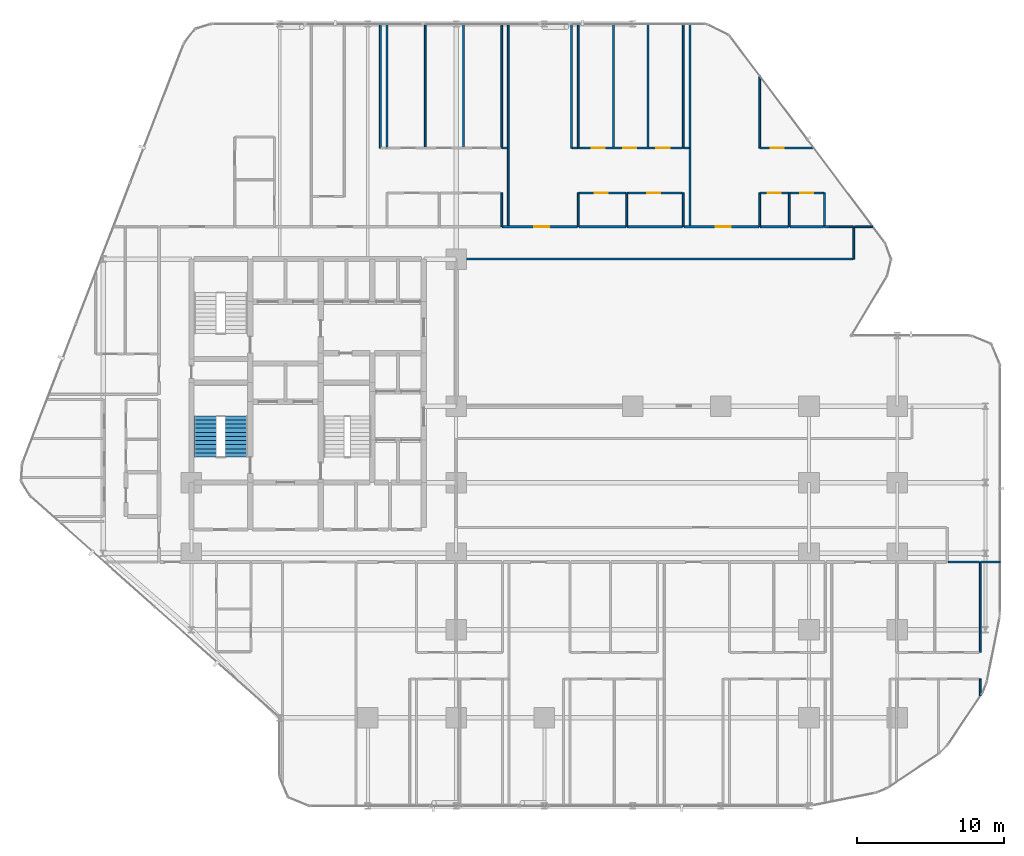
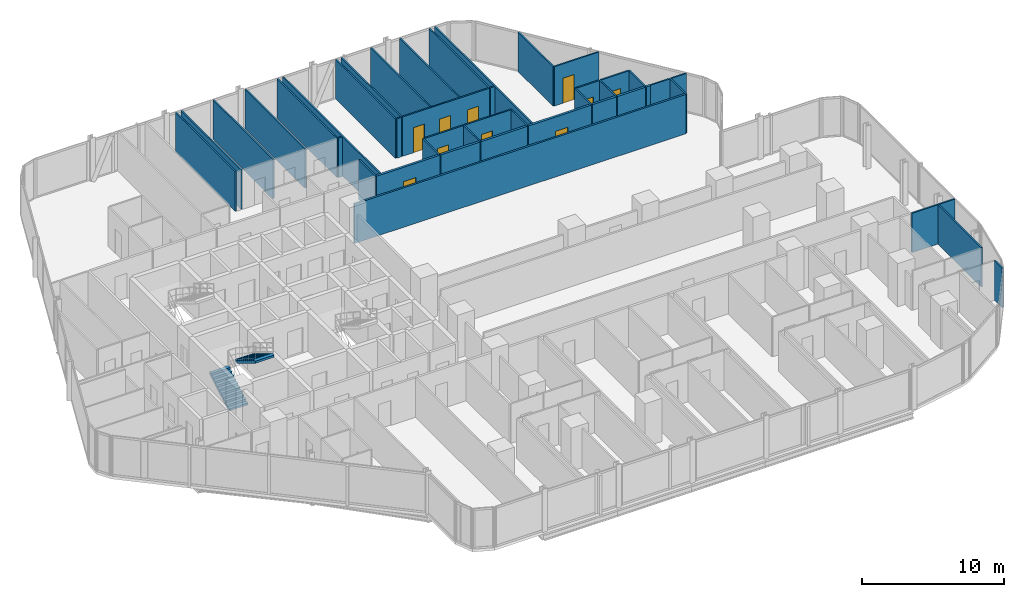
# One storey, part 31 of 34: 44 walls, 10 doors, 2 stair flights, 10 openings, 1 element without a shape of its own.
"""IFC4 building model written with IfcOpenShell, lengths in metres."""

from ifc_helpers import new_model, si_unit, direction, frame, frame_2d, origin, place, context, subcontext, project, spatial, polyline, rectangle, outline, extrude, material, layer, layer_set, type_object, element, fill, aggregate, save


model = new_model("IFC4")

# Units and contexts
model_context = context("Model", 3, precision=1e-05, world=origin(), true_north=direction((0.0, 1.0)))
body_context = subcontext(model_context, "Body", "Model", "MODEL_VIEW")
ifc_project = project(units=[si_unit("LENGTHUNIT", "METRE"), si_unit("AREAUNIT", "SQUARE_METRE"), si_unit("VOLUMEUNIT", "CUBIC_METRE"), si_unit("PLANEANGLEUNIT", "RADIAN"), si_unit("MASSUNIT", "GRAM", prefix="KILO")], contexts=[model_context])

# Site, building, storey
site_placement = place(None, origin())
site = spatial("IfcSite", under=ifc_project, at=site_placement, CompositionType="ELEMENT")
building_placement = place(site_placement, origin())
building = spatial("IfcBuilding", under=site, at=building_placement, Name="Keshet Zoharim Tower", CompositionType="ELEMENT")
storey_placement = place(building_placement, frame((0.0, 0.0, 38.800048828125)))
storey = spatial("IfcBuildingStorey", under=building, at=storey_placement, Name="L08", CompositionType="ELEMENT", Elevation=38.800048828125)

# Wall
ifc_material_1 = material(Name="Gypsum Plasterboard", Category="gypsum")
ifc_layer_1 = layer(ifc_material_1, 0.14990234375)
ifc_layer_set_1 = layer_set([ifc_layer_1], Name="Gypsum Plasterboard")
wall_type_1 = type_object("IfcWallType", Name="WL-CLIN-150", PredefinedType="STANDARD", material=ifc_layer_set_1)
wall_1_placement = place(storey_placement, frame((33.070068359375, 37.89990234375, 0.0), z_axis=(0.0, 0.0, 1.0), x_axis=(1.0, 0.0, 0.0)))
element("IfcWall", 1, at=wall_1_placement, inside=storey, type_object=wall_type_1, Name="L08 Interior Wall 196", PredefinedType="STANDARD", context=body_context, shape_type="SweptSolid", body=[
    extrude(rectangle(XDim=26.934814453125, YDim=0.14990234375, at=frame_2d((13.46728515625, 0.0))), origin(), (0.0, 0.0, 1.0), 3.385009765625),
])

# Wall, opening, door
ifc_layer_2 = layer(ifc_material_1, 0.179931640625)
ifc_layer_set_2 = layer_set([ifc_layer_2], Name="Gypsum Plasterboard")
wall_type_2 = type_object("IfcWallType", Name="WL-CORR-180", PredefinedType="STANDARD", material=ifc_layer_set_2)
wall_2_placement = place(storey_placement, frame((36.125, 40.10009765625, 0.0), z_axis=(0.0, 0.0, 1.0), x_axis=(1.0, 0.0, 0.0)))
wall_2 = element("IfcWall", 2, at=wall_2_placement, inside=storey, type_object=wall_type_2, Name="L08 Interior Wall 205", PredefinedType="STANDARD", context=body_context, shape_type="SweptSolid", body=[
    extrude(rectangle(XDim=5.139892578125, YDim=0.179931640625, at=frame_2d((2.56982421875, 0.0))), origin(), (0.0, 0.0, 1.0), 3.385009765625),
])
opening_1_placement = place(wall_2_placement, frame((2.197998046875, 0.0, 0.0)))
opening_1 = element("IfcOpeningElement", 3, at=opening_1_placement, cuts=wall_2, Name="Opening D-F310", PredefinedType="OPENING", context=body_context, shape_type="SweptSolid", body=[
    extrude(rectangle(XDim=1.0, YDim=2.14990234375, at=frame_2d((0.5, 1.074951171875))), frame((0.0, 0.10009765625, 0.0), z_axis=(0.0, -1.0, 0.0), x_axis=(1.0, 0.0, 0.0)), (0.0, 0.0, 1.0), 0.199951171875),
])
ifc_material_2 = material(Name="Hardwood Timber", Category="wood")
door_type_1 = type_object("IfcDoorType", Name="DR-FD30-100", OperationType="NOTDEFINED", PredefinedType="DOOR", material=ifc_material_2)
door_1_placement = place(opening_1_placement, origin())
door_1 = element("IfcDoor", 4, at=door_1_placement, inside=storey, type_object=door_type_1, Name="Apartment 0808 Entrance Door", OperationType="SINGLE_SWING_RIGHT", OverallHeight=2.14990234375, OverallWidth=1.0, PredefinedType="DOOR", context=body_context, shape_type="SweptSolid", body=[
    extrude(rectangle(XDim=1.0, YDim=2.14990234375, at=frame_2d((0.5, 1.074951171875))), frame((0.0, 0.02490234375, 0.0), z_axis=(0.0, -1.0, 0.0), x_axis=(1.0, 0.0, 0.0)), (0.0, 0.0, 1.0), 0.050048828125),
])
fill(opening_1, door_1)

# Walls
wall_3_placement = place(storey_placement, frame((41.35498046875, 40.10009765625, 0.0), z_axis=(0.0, 0.0, 1.0), x_axis=(1.0, 0.0, 0.0)))
element("IfcWall", 5, at=wall_3_placement, inside=storey, type_object=wall_type_2, Name="L08 Interior Wall 206", PredefinedType="STANDARD", context=body_context, shape_type="SweptSolid", body=[
    extrude(rectangle(XDim=3.18994140625, YDim=0.179931640625, at=frame_2d((1.594970703125, 0.0))), origin(), (0.0, 0.0, 1.0), 3.385009765625),
])
wall_4_placement = place(storey_placement, frame((44.635009765625, 40.10009765625, 0.0), z_axis=(0.0, 0.0, 1.0), x_axis=(1.0, 0.0, 0.0)))
element("IfcWall", 6, at=wall_4_placement, inside=storey, type_object=wall_type_2, Name="L08 Interior Wall 207", PredefinedType="STANDARD", context=body_context, shape_type="SweptSolid", body=[
    extrude(rectangle(XDim=3.760009765625, YDim=0.179931640625, at=frame_2d((1.8798828125, 0.0))), origin(), (0.0, 0.0, 1.0), 3.385009765625),
])

# Wall, opening, door
wall_5_placement = place(storey_placement, frame((48.485107421875, 40.10009765625, 0.0), z_axis=(0.0, 0.0, 1.0), x_axis=(1.0, 0.0, 0.0)))
wall_5 = element("IfcWall", 7, at=wall_5_placement, inside=storey, type_object=wall_type_2, Name="L08 Interior Wall 208", PredefinedType="STANDARD", context=body_context, shape_type="SweptSolid", body=[
    extrude(rectangle(XDim=5.099853515625, YDim=0.179931640625, at=frame_2d((2.5498046875, 0.0))), origin(), (0.0, 0.0, 1.0), 3.385009765625),
])
opening_2_placement = place(wall_5_placement, frame((2.178955078125, 0.0, 0.0)))
opening_2 = element("IfcOpeningElement", 8, at=opening_2_placement, cuts=wall_5, Name="Opening D-F310", PredefinedType="OPENING", context=body_context, shape_type="SweptSolid", body=[
    extrude(rectangle(XDim=1.0, YDim=2.14990234375, at=frame_2d((0.5, 1.074951171875))), frame((0.0, 0.10009765625, 0.0), z_axis=(0.0, -1.0, 0.0), x_axis=(1.0, 0.0, 0.0)), (0.0, 0.0, 1.0), 0.199951171875),
])
door_2_placement = place(opening_2_placement, origin())
door_2 = element("IfcDoor", 9, at=door_2_placement, inside=storey, type_object=door_type_1, Name="Apartment 0809 Entrance Door", OperationType="SINGLE_SWING_LEFT", OverallHeight=2.14990234375, OverallWidth=1.0, PredefinedType="DOOR", context=body_context, shape_type="SweptSolid", body=[
    extrude(rectangle(XDim=1.0, YDim=2.14990234375, at=frame_2d((0.5, 1.074951171875))), frame((0.0, 0.02490234375, 0.0), z_axis=(0.0, -1.0, 0.0), x_axis=(1.0, 0.0, 0.0)), (0.0, 0.0, 1.0), 0.050048828125),
])
fill(opening_2, door_2)

# Walls
wall_6_placement = place(storey_placement, frame((53.675048828125, 40.10009765625, 0.0), z_axis=(0.0, 0.0, 1.0), x_axis=(1.0, 0.0, 0.0)))
element("IfcWall", 10, at=wall_6_placement, inside=storey, type_object=wall_type_2, Name="L08 Interior Wall 209", PredefinedType="STANDARD", context=body_context, shape_type="SweptSolid", body=[
    extrude(rectangle(XDim=1.93798828125, YDim=0.179931640625, at=frame_2d((0.968994140625, 0.0))), origin(), (0.0, 0.0, 1.0), 3.385009765625),
])
wall_7_placement = place(storey_placement, frame((55.702880859375, 40.10009765625, 0.0), z_axis=(0.0, 0.0, 1.0), x_axis=(1.0, 0.0, 0.0)))
element("IfcWall", 11, at=wall_7_placement, inside=storey, type_object=wall_type_2, Name="L08 Interior Wall 210", PredefinedType="STANDARD", context=body_context, shape_type="SweptSolid", body=[
    extrude(rectangle(XDim=2.2900390625, YDim=0.179931640625, at=frame_2d((1.14501953125, 0.0))), origin(), (0.0, 0.0, 1.0), 3.385009765625),
])
wall_8_placement = place(storey_placement, frame((58.050048828125, 40.10009765625, 0.0), z_axis=(0.0, 0.0, 1.0), x_axis=(1.0, 0.0, 0.0)))
element("IfcWall", 12, at=wall_8_placement, inside=storey, type_object=wall_type_2, Name="L08 Interior Wall 211", PredefinedType="STANDARD", context=body_context, shape_type="SweptSolid", body=[
    extrude(rectangle(XDim=0.349853515625, YDim=0.179931640625, at=frame_2d((0.1748046875, 0.0))), origin(), (0.0, 0.0, 1.0), 3.385009765625),
])
ifc_layer_3 = layer(ifc_material_1, 0.1201171875)
ifc_layer_set_3 = layer_set([ifc_layer_3], Name="Gypsum Plasterboard")
wall_type_3 = type_object("IfcWallType", Name="WL-PART-120", PredefinedType="PARTITIONING", material=ifc_layer_set_3)
for number, where, z_axis, x_axis, name in (
    (13, (27.85009765625, 45.449951171875, 0.0), (0.0, 0.0, 1.0), (0.0, 1.0, 0.0), "L08 Interior Wall 051"),
    (14, (28.300048828125, 45.449951171875, 0.0), (0.0, 0.0, 1.0), (0.0, 1.0, 0.0), "L08 Interior Wall 053"),
    (15, (30.89990234375, 45.449951171875, 0.0), (0.0, 0.0, 1.0), (0.0, 1.0, 0.0), "L08 Interior Wall 067"),
    (16, (33.5, 45.449951171875, 0.0), (0.0, 0.0, 1.0), (0.0, 1.0, 0.0), "L08 Interior Wall 073"),
    (17, (36.10009765625, 45.449951171875, 0.0), (0.0, 0.0, 1.0), (0.0, 1.0, 0.0), "L08 Interior Wall 075"),
):
    element("IfcWall", number, at=place(storey_placement, frame(where, z_axis=z_axis, x_axis=x_axis)), inside=storey, type_object=wall_type_3, Name=name, PredefinedType="PARTITIONING", context=body_context, shape_type="SweptSolid", body=[
        extrude(rectangle(XDim=8.43994140625, YDim=0.1201171875, at=frame_2d((4.219970703125, 0.0))), origin(), (0.0, 0.0, 1.0), 3.385009765625),
    ])
wall_9_placement = place(storey_placement, frame((36.550048828125, 40.10009765625, 0.0), z_axis=(0.0, 0.0, 1.0), x_axis=(0.0, 1.0, 0.0)))
element("IfcWall", 18, at=wall_9_placement, inside=storey, type_object=wall_type_3, Name="L08 Interior Wall 078", PredefinedType="PARTITIONING", context=body_context, shape_type="SweptSolid", body=[
    extrude(rectangle(XDim=13.789794921875, YDim=0.1201171875, at=frame_2d((6.89501953125, 0.0))), origin(), (0.0, 0.0, 1.0), 3.385009765625),
])
wall_10_placement = place(storey_placement, frame((40.85009765625, 45.449951171875, 0.0), z_axis=(0.0, 0.0, 1.0), x_axis=(0.0, 1.0, 0.0)))
element("IfcWall", 19, at=wall_10_placement, inside=storey, type_object=wall_type_3, Name="L08 Interior Wall 083", PredefinedType="PARTITIONING", context=body_context, shape_type="SweptSolid", body=[
    extrude(rectangle(XDim=8.43994140625, YDim=0.1201171875, at=frame_2d((4.219970703125, 0.0))), origin(), (0.0, 0.0, 1.0), 3.385009765625),
])
wall_11_placement = place(storey_placement, frame((41.300048828125, 40.10009765625, 0.0), z_axis=(0.0, 0.0, 1.0), x_axis=(0.0, 1.0, 0.0)))
element("IfcWall", 20, at=wall_11_placement, inside=storey, type_object=wall_type_3, Name="L08 Interior Wall 084", PredefinedType="PARTITIONING", context=body_context, shape_type="SweptSolid", body=[
    extrude(rectangle(XDim=2.2998046875, YDim=0.1201171875, at=frame_2d((1.14990234375, 0.0))), origin(), (0.0, 0.0, 1.0), 3.385009765625),
])
for number, where, z_axis, x_axis, name in (
    (21, (41.300048828125, 45.449951171875, 0.0), (0.0, 0.0, 1.0), (0.0, 1.0, 0.0), "L08 Interior Wall 085"),
    (22, (43.699951171875, 45.449951171875, 0.0), (0.0, 0.0, 1.0), (0.0, 1.0, 0.0), "L08 Interior Wall 087"),
    (23, (46.050048828125, 45.449951171875, 0.0), (0.0, 0.0, 1.0), (0.0, 1.0, 0.0), "L08 Interior Wall 090"),
    (24, (48.449951171875, 45.449951171875, 0.0), (0.0, 0.0, 1.0), (0.0, 1.0, 0.0), "L08 Interior Wall 095"),
):
    element("IfcWall", number, at=place(storey_placement, frame(where, z_axis=z_axis, x_axis=x_axis)), inside=storey, type_object=wall_type_3, Name=name, PredefinedType="PARTITIONING", context=body_context, shape_type="SweptSolid", body=[
        extrude(rectangle(XDim=8.43994140625, YDim=0.1201171875, at=frame_2d((4.219970703125, 0.0))), origin(), (0.0, 0.0, 1.0), 3.385009765625),
    ])
wall_12_placement = place(storey_placement, frame((48.89990234375, 40.10009765625, 0.0), z_axis=(0.0, 0.0, 1.0), x_axis=(0.0, 1.0, 0.0)))
element("IfcWall", 25, at=wall_12_placement, inside=storey, type_object=wall_type_3, Name="L08 Interior Wall 096", PredefinedType="PARTITIONING", context=body_context, shape_type="SweptSolid", body=[
    extrude(rectangle(XDim=13.789794921875, YDim=0.1201171875, at=frame_2d((6.89501953125, 0.0))), origin(), (0.0, 0.0, 1.0), 3.385009765625),
])
wall_13_placement = place(storey_placement, frame((53.64990234375, 40.10009765625, 0.0), z_axis=(0.0, 0.0, 1.0), x_axis=(0.0, 1.0, 0.0)))
element("IfcWall", 26, at=wall_13_placement, inside=storey, type_object=wall_type_3, Name="L08 Interior Wall 100", PredefinedType="PARTITIONING", context=body_context, shape_type="SweptSolid", body=[
    extrude(rectangle(XDim=2.2998046875, YDim=0.1201171875, at=frame_2d((1.14990234375, 0.0))), origin(), (0.0, 0.0, 1.0), 3.385009765625),
])
wall_14_placement = place(storey_placement, frame((53.64990234375, 45.449951171875, 0.0), z_axis=(0.0, 0.0, 1.0), x_axis=(0.0, 1.0, 0.0)))
element("IfcWall", 27, at=wall_14_placement, inside=storey, type_object=wall_type_3, Name="L08 Interior Wall 101", PredefinedType="PARTITIONING", context=body_context, shape_type="SweptSolid", body=[
    extrude(rectangle(XDim=4.906982421875, YDim=0.1201171875, at=frame_2d((2.45361328125, 0.0))), origin(), (0.0, 0.0, 1.0), 3.385009765625),
])
wall_15_placement = place(storey_placement, frame((60.050048828125, 37.889892578125, 0.0), z_axis=(0.0, 0.0, 1.0), x_axis=(0.0, 1.0, 0.0)))
element("IfcWall", 28, at=wall_15_placement, inside=storey, type_object=wall_type_3, Name="L08 Interior Wall 109", PredefinedType="PARTITIONING", context=body_context, shape_type="SweptSolid", body=[
    extrude(rectangle(XDim=2.2001953125, YDim=0.1201171875, at=frame_2d((1.10009765625, 0.0))), origin(), (0.0, 0.0, 1.0), 3.385009765625),
])
wall_16_placement = place(storey_placement, frame((68.64990234375, 8.196044921875, 0.0), z_axis=(0.0, 0.0, 1.0), x_axis=(0.0, 1.0, 0.0)))
element("IfcWall", 29, at=wall_16_placement, inside=storey, type_object=wall_type_3, Name="L08 Interior Wall 117", PredefinedType="PARTITIONING", context=body_context, shape_type="SweptSolid", body=[
    extrude(rectangle(XDim=1.154052734375, YDim=0.1201171875, at=frame_2d((0.5771484375, 0.0))), origin(), (0.0, 0.0, 1.0), 3.385009765625),
])
wall_17_placement = place(storey_placement, frame((68.676025390625, 17.300048828125, 0.0), z_axis=(0.0, 0.0, 1.0), x_axis=(1.0, 0.0, 0.0)))
element("IfcWall", 30, at=wall_17_placement, inside=storey, type_object=wall_type_3, Name="L08 Interior Wall 158", PredefinedType="PARTITIONING", context=body_context, shape_type="SweptSolid", body=[
    extrude(rectangle(XDim=1.31396484375, YDim=0.1201171875, at=frame_2d((0.656982421875, 0.0))), origin(), (0.0, 0.0, 1.0), 3.385009765625),
])
wall_18_placement = place(storey_placement, frame((58.39990234375, 40.10009765625, 0.0), z_axis=(0.0, 0.0, 1.0), x_axis=(1.0, 0.0, 0.0)))
element("IfcWall", 31, at=wall_18_placement, inside=storey, type_object=wall_type_3, Name="L08 Interior Wall 212", PredefinedType="PARTITIONING", context=body_context, shape_type="SweptSolid", body=[
    extrude(rectangle(XDim=1.60498046875, YDim=0.1201171875, at=frame_2d((0.802490234375, 0.0))), origin(), (0.0, 0.0, 1.0), 3.385009765625),
])
wall_19_placement = place(storey_placement, frame((60.094970703125, 40.10009765625, 0.0), z_axis=(0.0, 0.0, 1.0), x_axis=(1.0, 0.0, 0.0)))
element("IfcWall", 32, at=wall_19_placement, inside=storey, type_object=wall_type_3, Name="L08 Interior Wall 213", PredefinedType="PARTITIONING", context=body_context, shape_type="SweptSolid", body=[
    extrude(rectangle(XDim=1.2451171875, YDim=0.1201171875, at=frame_2d((0.62255859375, 0.0))), origin(), (0.0, 0.0, 1.0), 3.385009765625),
])

# Wall, opening, door
wall_20_placement = place(storey_placement, frame((41.35498046875, 42.39990234375, 0.0), z_axis=(0.0, 0.0, 1.0), x_axis=(1.0, 0.0, 0.0)))
wall_20 = element("IfcWall", 33, at=wall_20_placement, inside=storey, type_object=wall_type_3, Name="L08 Interior Wall 217", PredefinedType="PARTITIONING", context=body_context, shape_type="SweptSolid", body=[
    extrude(rectangle(XDim=3.18994140625, YDim=0.1201171875, at=frame_2d((1.594970703125, 0.0))), origin(), (0.0, 0.0, 1.0), 3.385009765625),
])
opening_3_placement = place(wall_20_placement, frame((1.072998046875, 0.0, 0.0)))
opening_3 = element("IfcOpeningElement", 34, at=opening_3_placement, cuts=wall_20, Name="Opening D-IN90", PredefinedType="OPENING", context=body_context, shape_type="SweptSolid", body=[
    extrude(rectangle(XDim=0.89990234375, YDim=2.14990234375, at=frame_2d((0.449951171875, 1.074951171875))), frame((0.0, 0.070068359375, 0.0), z_axis=(0.0, -1.0, 0.0), x_axis=(1.0, 0.0, 0.0)), (0.0, 0.0, 1.0), 0.14013671875),
])
door_type_2 = type_object("IfcDoorType", Name="DR-INT-090", OperationType="NOTDEFINED", PredefinedType="DOOR", material=ifc_material_2)
door_3_placement = place(opening_3_placement, origin())
door_3 = element("IfcDoor", 35, at=door_3_placement, inside=storey, type_object=door_type_2, Name="Apartment 0808 Kitchen Door", OperationType="SINGLE_SWING_LEFT", OverallHeight=2.14990234375, OverallWidth=0.89990234375, PredefinedType="DOOR", context=body_context, shape_type="SweptSolid", body=[
    extrude(rectangle(XDim=0.89990234375, YDim=2.14990234375, at=frame_2d((0.449951171875, 1.074951171875))), frame((0.0, 0.02490234375, 0.0), z_axis=(0.0, -1.0, 0.0), x_axis=(1.0, 0.0, 0.0)), (0.0, 0.0, 1.0), 0.050048828125),
])
fill(opening_3, door_3)

wall_21_placement = place(storey_placement, frame((53.675048828125, 42.39990234375, 0.0), z_axis=(0.0, 0.0, 1.0), x_axis=(1.0, 0.0, 0.0)))
wall_21 = element("IfcWall", 36, at=wall_21_placement, inside=storey, type_object=wall_type_3, Name="L08 Interior Wall 219", PredefinedType="PARTITIONING", context=body_context, shape_type="SweptSolid", body=[
    extrude(rectangle(XDim=1.93798828125, YDim=0.1201171875, at=frame_2d((0.968994140625, 0.0))), origin(), (0.0, 0.0, 1.0), 3.385009765625),
])
opening_4_placement = place(wall_21_placement, frame((0.51904296875, 0.0, 0.0)))
opening_4 = element("IfcOpeningElement", 37, at=opening_4_placement, cuts=wall_21, Name="Opening D-IN90", PredefinedType="OPENING", context=body_context, shape_type="SweptSolid", body=[
    extrude(rectangle(XDim=0.89990234375, YDim=2.14990234375, at=frame_2d((0.449951171875, 1.074951171875))), frame((0.0, 0.070068359375, 0.0), z_axis=(0.0, -1.0, 0.0), x_axis=(1.0, 0.0, 0.0)), (0.0, 0.0, 1.0), 0.14013671875),
])
door_4_placement = place(opening_4_placement, origin())
door_4 = element("IfcDoor", 38, at=door_4_placement, inside=storey, type_object=door_type_2, Name="Apartment 0809 Kitchen Door", OperationType="SINGLE_SWING_LEFT", OverallHeight=2.14990234375, OverallWidth=0.89990234375, PredefinedType="DOOR", context=body_context, shape_type="SweptSolid", body=[
    extrude(rectangle(XDim=0.89990234375, YDim=2.14990234375, at=frame_2d((0.449951171875, 1.074951171875))), frame((0.0, 0.02490234375, 0.0), z_axis=(0.0, -1.0, 0.0), x_axis=(1.0, 0.0, 0.0)), (0.0, 0.0, 1.0), 0.050048828125),
])
fill(opening_4, door_4)

# Walls
wall_22_placement = place(storey_placement, frame((36.125, 45.449951171875, 0.0), z_axis=(0.0, 0.0, 1.0), x_axis=(1.0, 0.0, 0.0)))
element("IfcWall", 39, at=wall_22_placement, inside=storey, type_object=wall_type_3, Name="L08 Interior Wall 224", PredefinedType="PARTITIONING", context=body_context, shape_type="SweptSolid", body=[
    extrude(rectangle(XDim=0.360107421875, YDim=0.1201171875, at=frame_2d((0.18017578125, 0.0))), origin(), (0.0, 0.0, 1.0), 3.385009765625),
])
wall_23_placement = place(storey_placement, frame((40.905029296875, 45.449951171875, 0.0), z_axis=(0.0, 0.0, 1.0), x_axis=(1.0, 0.0, 0.0)))
element("IfcWall", 40, at=wall_23_placement, inside=storey, type_object=wall_type_3, Name="L08 Interior Wall 225", PredefinedType="PARTITIONING", context=body_context, shape_type="SweptSolid", body=[
    extrude(rectangle(XDim=0.35986328125, YDim=0.1201171875, at=frame_2d((0.179931640625, 0.0))), origin(), (0.0, 0.0, 1.0), 3.385009765625),
])

# Wall, openings, doors
wall_24_placement = place(storey_placement, frame((41.35498046875, 45.449951171875, 0.0), z_axis=(0.0, 0.0, 1.0), x_axis=(1.0, 0.0, 0.0)))
wall_24 = element("IfcWall", 41, at=wall_24_placement, inside=storey, type_object=wall_type_3, Name="L08 Interior Wall 226", PredefinedType="PARTITIONING", context=body_context, shape_type="SweptSolid", body=[
    extrude(rectangle(XDim=7.0400390625, YDim=0.1201171875, at=frame_2d((3.52001953125, 0.0))), origin(), (0.0, 0.0, 1.0), 3.385009765625),
])
opening_5_placement = place(wall_24_placement, frame((0.867919921875, 0.0, 0.0)))
opening_5 = element("IfcOpeningElement", 42, at=opening_5_placement, cuts=wall_24, Name="Opening D-IN90", PredefinedType="OPENING", context=body_context, shape_type="SweptSolid", body=[
    extrude(rectangle(XDim=0.89990234375, YDim=2.14990234375, at=frame_2d((0.449951171875, 1.074951171875))), frame((0.0, 0.070068359375, 0.0), z_axis=(0.0, -1.0, 0.0), x_axis=(1.0, 0.0, 0.0)), (0.0, 0.0, 1.0), 0.14013671875),
])
opening_6_placement = place(wall_24_placement, frame((2.9990234375, 0.0, 0.0)))
opening_6 = element("IfcOpeningElement", 43, at=opening_6_placement, cuts=wall_24, Name="Opening D-IN90", PredefinedType="OPENING", context=body_context, shape_type="SweptSolid", body=[
    extrude(rectangle(XDim=0.89990234375, YDim=2.14990234375, at=frame_2d((0.449951171875, 1.074951171875))), frame((0.0, 0.070068359375, 0.0), z_axis=(0.0, -1.0, 0.0), x_axis=(1.0, 0.0, 0.0)), (0.0, 0.0, 1.0), 0.14013671875),
])
opening_7_placement = place(wall_24_placement, frame((5.27197265625, 0.0, 0.0)))
opening_7 = element("IfcOpeningElement", 44, at=opening_7_placement, cuts=wall_24, Name="Opening D-IN90", PredefinedType="OPENING", context=body_context, shape_type="SweptSolid", body=[
    extrude(rectangle(XDim=0.89990234375, YDim=2.14990234375, at=frame_2d((0.449951171875, 1.074951171875))), frame((0.0, 0.070068359375, 0.0), z_axis=(0.0, -1.0, 0.0), x_axis=(1.0, 0.0, 0.0)), (0.0, 0.0, 1.0), 0.14013671875),
])
door_5_placement = place(opening_5_placement, origin())
door_5 = element("IfcDoor", 45, at=door_5_placement, inside=storey, type_object=door_type_2, Name="Apartment 0808 Bedroom 1 Door", OperationType="SINGLE_SWING_RIGHT", OverallHeight=2.14990234375, OverallWidth=0.89990234375, PredefinedType="DOOR", context=body_context, shape_type="SweptSolid", body=[
    extrude(rectangle(XDim=0.89990234375, YDim=2.14990234375, at=frame_2d((0.449951171875, 1.074951171875))), frame((0.0, 0.02490234375, 0.0), z_axis=(0.0, -1.0, 0.0), x_axis=(1.0, 0.0, 0.0)), (0.0, 0.0, 1.0), 0.050048828125),
])
fill(opening_5, door_5)
door_6_placement = place(opening_6_placement, origin())
door_6 = element("IfcDoor", 46, at=door_6_placement, inside=storey, type_object=door_type_2, Name="Apartment 0808 Bedroom 2 Door", OperationType="SINGLE_SWING_LEFT", OverallHeight=2.14990234375, OverallWidth=0.89990234375, PredefinedType="DOOR", context=body_context, shape_type="SweptSolid", body=[
    extrude(rectangle(XDim=0.89990234375, YDim=2.14990234375, at=frame_2d((0.449951171875, 1.074951171875))), frame((0.0, 0.02490234375, 0.0), z_axis=(0.0, -1.0, 0.0), x_axis=(1.0, 0.0, 0.0)), (0.0, 0.0, 1.0), 0.050048828125),
])
fill(opening_6, door_6)
door_7_placement = place(opening_7_placement, origin())
door_7 = element("IfcDoor", 47, at=door_7_placement, inside=storey, type_object=door_type_2, Name="Apartment 0808 Bedroom 3 Door", OperationType="SINGLE_SWING_RIGHT", OverallHeight=2.14990234375, OverallWidth=0.89990234375, PredefinedType="DOOR", context=body_context, shape_type="SweptSolid", body=[
    extrude(rectangle(XDim=0.89990234375, YDim=2.14990234375, at=frame_2d((0.449951171875, 1.074951171875))), frame((0.0, 0.02490234375, 0.0), z_axis=(0.0, -1.0, 0.0), x_axis=(1.0, 0.0, 0.0)), (0.0, 0.0, 1.0), 0.050048828125),
])
fill(opening_7, door_7)

# Wall
wall_25_placement = place(storey_placement, frame((48.485107421875, 45.449951171875, 0.0), z_axis=(0.0, 0.0, 1.0), x_axis=(1.0, 0.0, 0.0)))
element("IfcWall", 48, at=wall_25_placement, inside=storey, type_object=wall_type_3, Name="L08 Interior Wall 227", PredefinedType="PARTITIONING", context=body_context, shape_type="SweptSolid", body=[
    extrude(rectangle(XDim=0.35986328125, YDim=0.1201171875, at=frame_2d((0.179931640625, 0.0))), origin(), (0.0, 0.0, 1.0), 3.385009765625),
])

# Wall, opening, door
wall_26_placement = place(storey_placement, frame((53.675048828125, 45.449951171875, 0.0), z_axis=(0.0, 0.0, 1.0), x_axis=(1.0, 0.0, 0.0)))
wall_26 = element("IfcWall", 49, at=wall_26_placement, inside=storey, type_object=wall_type_3, Name="L08 Interior Wall 228", PredefinedType="PARTITIONING", context=body_context, shape_type="SweptSolid", body=[
    extrude(rectangle(XDim=3.65283203125, YDim=0.1201171875, at=frame_2d((1.826416015625, 0.0))), origin(), (0.0, 0.0, 1.0), 3.385009765625),
])
opening_8_placement = place(wall_26_placement, frame((0.715087890625, 0.0, 0.0)))
opening_8 = element("IfcOpeningElement", 50, at=opening_8_placement, cuts=wall_26, Name="Opening D-IN90", PredefinedType="OPENING", context=body_context, shape_type="SweptSolid", body=[
    extrude(rectangle(XDim=0.89990234375, YDim=2.14990234375, at=frame_2d((0.449951171875, 1.074951171875))), frame((0.0, 0.070068359375, 0.0), z_axis=(0.0, -1.0, 0.0), x_axis=(1.0, 0.0, 0.0)), (0.0, 0.0, 1.0), 0.14013671875),
])
door_8_placement = place(opening_8_placement, origin())
door_8 = element("IfcDoor", 51, at=door_8_placement, inside=storey, type_object=door_type_2, Name="Apartment 0809 Bedroom 1 Door", OperationType="SINGLE_SWING_LEFT", OverallHeight=2.14990234375, OverallWidth=0.89990234375, PredefinedType="DOOR", context=body_context, shape_type="SweptSolid", body=[
    extrude(rectangle(XDim=0.89990234375, YDim=2.14990234375, at=frame_2d((0.449951171875, 1.074951171875))), frame((0.0, 0.02490234375, 0.0), z_axis=(0.0, -1.0, 0.0), x_axis=(1.0, 0.0, 0.0)), (0.0, 0.0, 1.0), 0.050048828125),
])
fill(opening_8, door_8)

# Walls
ifc_layer_4 = layer(ifc_material_1, 0.1201171875)
ifc_layer_set_4 = layer_set([ifc_layer_4], Name="Gypsum Plasterboard")
wall_type_4 = type_object("IfcWallType", Name="WL-WET-120", PredefinedType="PARTITIONING", material=ifc_layer_set_4)
for number, where, z_axis, x_axis, name in (
    (52, (36.10009765625, 40.10009765625, 0.0), (0.0, 0.0, 1.0), (0.0, 1.0, 0.0), "L08 Interior Wall 074"),
    (53, (44.60009765625, 40.10009765625, 0.0), (0.0, 0.0, 1.0), (0.0, 1.0, 0.0), "L08 Interior Wall 089"),
    (54, (48.449951171875, 40.10009765625, 0.0), (0.0, 0.0, 1.0), (0.0, 1.0, 0.0), "L08 Interior Wall 094"),
    (55, (55.64990234375, 40.10009765625, 0.0), (0.0, 0.0, 1.0), (0.0, 1.0, 0.0), "L08 Interior Wall 104"),
    (56, (58.050048828125, 40.10009765625, 0.0), (0.0, 0.0, 1.0), (0.0, 1.0, 0.0), "L08 Interior Wall 105"),
):
    element("IfcWall", number, at=place(storey_placement, frame(where, z_axis=z_axis, x_axis=x_axis)), inside=storey, type_object=wall_type_4, Name=name, PredefinedType="PARTITIONING", context=body_context, shape_type="SweptSolid", body=[
        extrude(rectangle(XDim=2.2998046875, YDim=0.1201171875, at=frame_2d((1.14990234375, 0.0))), origin(), (0.0, 0.0, 1.0), 3.385009765625),
    ])
wall_27_placement = place(storey_placement, frame((68.64990234375, 11.14990234375, 0.0), z_axis=(0.0, 0.0, 1.0), x_axis=(0.0, 1.0, 0.0)))
element("IfcWall", 57, at=wall_27_placement, inside=storey, type_object=wall_type_4, Name="L08 Interior Wall 118", PredefinedType="PARTITIONING", context=body_context, shape_type="SweptSolid", body=[
    extrude(rectangle(XDim=6.150146484375, YDim=0.1201171875, at=frame_2d((3.0751953125, 0.0))), origin(), (0.0, 0.0, 1.0), 3.385009765625),
])
wall_28_placement = place(storey_placement, frame((66.469970703125, 17.300048828125, 0.0), z_axis=(0.0, 0.0, 1.0), x_axis=(1.0, 0.0, 0.0)))
element("IfcWall", 58, at=wall_28_placement, inside=storey, type_object=wall_type_4, Name="L08 Interior Wall 157", PredefinedType="PARTITIONING", context=body_context, shape_type="SweptSolid", body=[
    extrude(rectangle(XDim=2.115966796875, YDim=0.1201171875, at=frame_2d((1.05810546875, 0.0))), origin(), (0.0, 0.0, 1.0), 3.385009765625),
])

# Wall, opening, door
wall_29_placement = place(storey_placement, frame((44.635009765625, 42.39990234375, 0.0), z_axis=(0.0, 0.0, 1.0), x_axis=(1.0, 0.0, 0.0)))
wall_29 = element("IfcWall", 59, at=wall_29_placement, inside=storey, type_object=wall_type_4, Name="L08 Interior Wall 218", PredefinedType="PARTITIONING", context=body_context, shape_type="SweptSolid", body=[
    extrude(rectangle(XDim=3.760009765625, YDim=0.1201171875, at=frame_2d((1.8798828125, 0.0))), origin(), (0.0, 0.0, 1.0), 3.385009765625),
])
opening_9_placement = place(wall_29_placement, frame((1.35791015625, 0.0, 0.0)))
opening_9 = element("IfcOpeningElement", 60, at=opening_9_placement, cuts=wall_29, Name="Opening D-WT90", PredefinedType="OPENING", context=body_context, shape_type="SweptSolid", body=[
    extrude(rectangle(XDim=0.89990234375, YDim=2.10009765625, at=frame_2d((0.449951171875, 1.050048828125))), frame((0.0, 0.070068359375, 0.0), z_axis=(0.0, -1.0, 0.0), x_axis=(1.0, 0.0, 0.0)), (0.0, 0.0, 1.0), 0.14013671875),
])
door_type_3 = type_object("IfcDoorType", Name="DR-WET-090", OperationType="NOTDEFINED", PredefinedType="DOOR", material=ifc_material_2)
door_9_placement = place(opening_9_placement, origin())
door_9 = element("IfcDoor", 61, at=door_9_placement, inside=storey, type_object=door_type_3, Name="Apartment 0808 Bathroom Door", OperationType="SINGLE_SWING_RIGHT", OverallHeight=2.10009765625, OverallWidth=0.89990234375, PredefinedType="DOOR", context=body_context, shape_type="SweptSolid", body=[
    extrude(rectangle(XDim=0.89990234375, YDim=2.10009765625, at=frame_2d((0.449951171875, 1.050048828125))), frame((0.0, 0.02490234375, 0.0), z_axis=(0.0, -1.0, 0.0), x_axis=(1.0, 0.0, 0.0)), (0.0, 0.0, 1.0), 0.050048828125),
])
fill(opening_9, door_9)

wall_30_placement = place(storey_placement, frame((55.702880859375, 42.39990234375, 0.0), z_axis=(0.0, 0.0, 1.0), x_axis=(1.0, 0.0, 0.0)))
wall_30 = element("IfcWall", 62, at=wall_30_placement, inside=storey, type_object=wall_type_4, Name="L08 Interior Wall 220", PredefinedType="PARTITIONING", context=body_context, shape_type="SweptSolid", body=[
    extrude(rectangle(XDim=2.2900390625, YDim=0.1201171875, at=frame_2d((1.14501953125, 0.0))), origin(), (0.0, 0.0, 1.0), 3.385009765625),
])
opening_10_placement = place(wall_30_placement, frame((0.695068359375, 0.0, 0.0)))
opening_10 = element("IfcOpeningElement", 63, at=opening_10_placement, cuts=wall_30, Name="Opening D-WT90", PredefinedType="OPENING", context=body_context, shape_type="SweptSolid", body=[
    extrude(rectangle(XDim=0.89990234375, YDim=2.10009765625, at=frame_2d((0.449951171875, 1.050048828125))), frame((0.0, 0.070068359375, 0.0), z_axis=(0.0, -1.0, 0.0), x_axis=(1.0, 0.0, 0.0)), (0.0, 0.0, 1.0), 0.14013671875),
])
door_10_placement = place(opening_10_placement, origin())
door_10 = element("IfcDoor", 64, at=door_10_placement, inside=storey, type_object=door_type_3, Name="Apartment 0809 Bathroom Door", OperationType="SINGLE_SWING_RIGHT", OverallHeight=2.10009765625, OverallWidth=0.89990234375, PredefinedType="DOOR", context=body_context, shape_type="SweptSolid", body=[
    extrude(rectangle(XDim=0.89990234375, YDim=2.10009765625, at=frame_2d((0.449951171875, 1.050048828125))), frame((0.0, 0.02490234375, 0.0), z_axis=(0.0, -1.0, 0.0), x_axis=(1.0, 0.0, 0.0)), (0.0, 0.0, 1.0), 0.050048828125),
])
fill(opening_10, door_10)

# Stair, stair flights
ifc_material_3 = material(Name="Concrete C50/60", Category="concrete")
stair_type = type_object("IfcStairType", Name="STR-EXIT-135", PredefinedType="HALF_TURN_STAIR", material=ifc_material_3)
stair_placement = place(storey_placement, origin())
stair = element("IfcStair", 65, at=stair_placement, inside=storey, type_object=stair_type, Name="L08 Enclosed Exit Stair ST-01", PredefinedType="HALF_TURN_STAIR")
stair_flight_type = type_object("IfcStairFlightType", Name="FLT-PRE-135", PredefinedType="STRAIGHT", material=ifc_material_3)
stair_flight_1_placement = place(storey_placement, frame((15.945068359375, 24.43994140625, 0.0), z_axis=(0.0, 0.0, 1.0), x_axis=(0.0, 1.0, 0.0)))
stair_flight_1 = element("IfcStairFlight", 66, at=stair_flight_1_placement, type_object=stair_flight_type, Name="ST-01 flight 1", NumberOfRisers=11, NumberOfTreads=10, PredefinedType="STRAIGHT", RiserHeight=0.168182, TreadLength=0.28, context=body_context, shape_type="SweptSolid", body=[
    extrude(outline(polyline([(0.0, 0.0), (0.0, 0.168212890625), (0.280029296875, 0.168212890625), (0.280029296875, 0.33642578125), (0.56005859375, 0.33642578125), (0.56005859375, 0.504638671875), (0.840087890625, 0.504638671875), (0.840087890625, 0.672607421875), (1.1201171875, 0.672607421875), (1.1201171875, 0.8408203125), (1.39990234375, 0.8408203125), (1.39990234375, 1.009033203125), (1.679931640625, 1.009033203125), (1.679931640625, 1.17724609375), (1.9599609375, 1.17724609375), (1.9599609375, 1.345458984375), (2.239990234375, 1.345458984375), (2.239990234375, 1.513671875), (2.52001953125, 1.513671875), (2.52001953125, 1.681884765625), (2.800048828125, 1.681884765625), (2.800048828125, 1.85009765625), (2.800048828125, 1.495361328125), (0.310546875, 0.0), (0.0, 0.0)])), frame((0.0, 0.76513671875, 0.0), z_axis=(0.0, -1.0, 0.0), x_axis=(1.0, 0.0, 0.0)), (0.0, 0.0, 1.0), 1.530029296875),
])
stair_flight_2_placement = place(storey_placement, frame((18.054931640625, 27.239990234375, 1.849853515625), z_axis=(0.0, 0.0, 1.0), x_axis=(0.0, -1.0, 0.0)))
stair_flight_2 = element("IfcStairFlight", 67, at=stair_flight_2_placement, type_object=stair_flight_type, Name="ST-01 flight 2", NumberOfRisers=11, NumberOfTreads=10, PredefinedType="STRAIGHT", RiserHeight=0.168182, TreadLength=0.28, context=body_context, shape_type="SweptSolid", body=[
    extrude(outline(polyline([(0.0, 0.0), (0.0, 0.168212890625), (0.280029296875, 0.168212890625), (0.280029296875, 0.33642578125), (0.56005859375, 0.33642578125), (0.56005859375, 0.504638671875), (0.840087890625, 0.504638671875), (0.840087890625, 0.672607421875), (1.1201171875, 0.672607421875), (1.1201171875, 0.8408203125), (1.39990234375, 0.8408203125), (1.39990234375, 1.009033203125), (1.679931640625, 1.009033203125), (1.679931640625, 1.17724609375), (1.9599609375, 1.17724609375), (1.9599609375, 1.345458984375), (2.239990234375, 1.345458984375), (2.239990234375, 1.513671875), (2.52001953125, 1.513671875), (2.52001953125, 1.681884765625), (2.800048828125, 1.681884765625), (2.800048828125, 1.85009765625), (2.800048828125, 1.495361328125), (0.310546875, 0.0), (0.0, 0.0)])), frame((0.0, 0.76513671875, 0.0), z_axis=(0.0, -1.0, 0.0), x_axis=(1.0, 0.0, 0.0)), (0.0, 0.0, 1.0), 1.530029296875),
])
aggregate(stair, [stair_flight_1, stair_flight_2])

save(model, "model.ifc")
